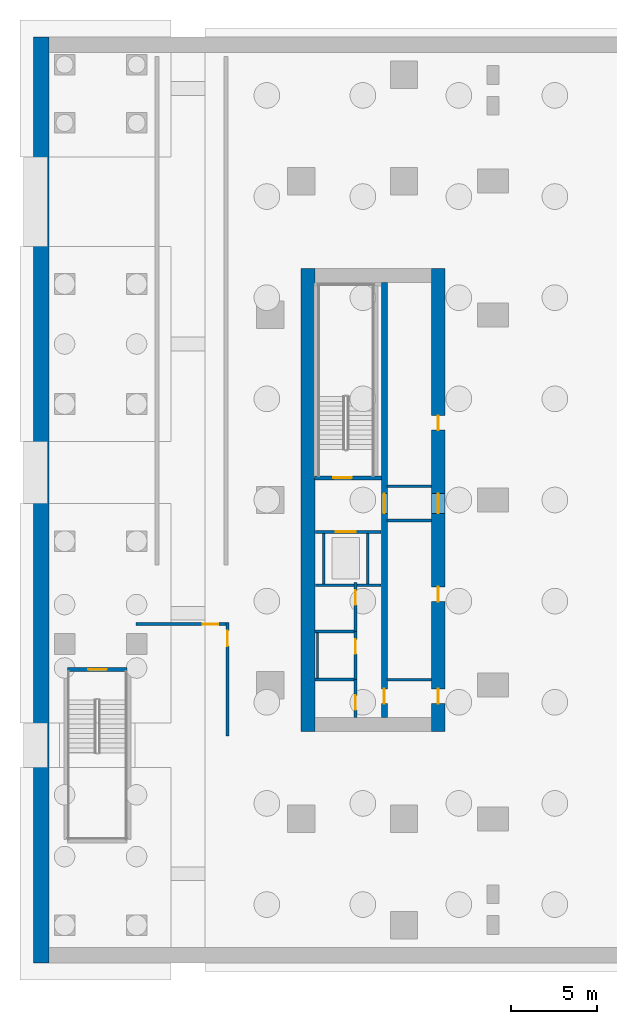
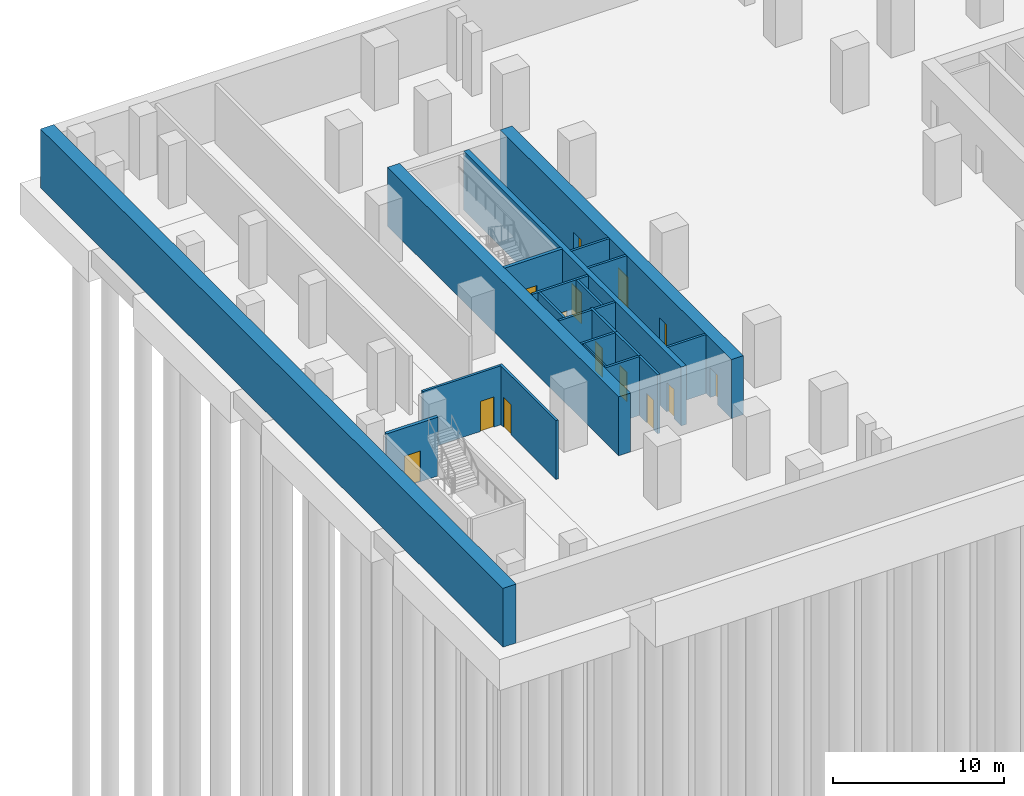
# One storey, part 3 of 15: 21 walls, 14 doors, 14 openings.
"""IFC4 building model written with IfcOpenShell, lengths in metres."""

import ifcopenshell
import ifcopenshell.guid

model = None  # the IFC model being written
_history = None  # IfcOwnerHistory: only IFC2X3 demands one
_inside = {}  # id of a spatial element -> (the spatial element, [elements in it])
_under = {}  # id of a project, library or spatial element -> (it, [spatial elements below it])
_declared = {}  # id of a project -> (the project, [libraries it declares])
_typed = {}  # id of a type object -> (the type object, [elements of that type])
_made_of = {}  # id of a material, layer set ... -> (it, [elements and type objects made of it])


def new_model(schema):
    """Start an empty IFC model of exactly this schema.

    Asked for "IFC4X3", IfcOpenShell would pick the latest addendum, in which some entities
    have other attributes; the version numbers below select the first issue.
    IFC2X3 requires an IfcOwnerHistory on every rooted entity: one is made here for all.
    """
    global model, _history
    if schema == "IFC4X3":
        model = ifcopenshell.file(schema_version=(4, 3, 0, 0))
    else:
        model = ifcopenshell.file(schema=schema)
    _inside.clear()
    _under.clear()
    _declared.clear()
    _typed.clear()
    _made_of.clear()
    _history = None
    if model.schema == "IFC2X3":
        org = make("IfcOrganization", Name="unknown")
        user = make(
            "IfcPersonAndOrganization",
            ThePerson=make("IfcPerson", FamilyName="unknown"),
            TheOrganization=org,
        )
        app = make(
            "IfcApplication",
            ApplicationDeveloper=org,
            Version="unknown",
            ApplicationFullName="unknown",
            ApplicationIdentifier="unknown",
        )
        _history = make(
            "IfcOwnerHistory",
            OwningUser=user,
            OwningApplication=app,
            ChangeAction="ADDED",
            CreationDate=0,
        )
    return model


def make(cls, **values):
    """One entity of the class cls with the attributes given. An attribute that is None is left unset."""
    return model.create_entity(
        cls, **{name: value for name, value in values.items() if value is not None}
    )


def rooted(cls, **values):
    """An entity with a GlobalId (a new one), such as an element, a storey or a relation."""
    return make(cls, GlobalId=ifcopenshell.guid.new(), OwnerHistory=_history, **values)


def si_unit(unit_type, name, prefix=None):
    """IfcSIUnit, for example si_unit("LENGTHUNIT", "METRE", prefix="MILLI")."""
    return make("IfcSIUnit", UnitType=unit_type, Prefix=prefix, Name=name)


def assignment(units):
    """IfcUnitAssignment: the units of a project."""
    return None if units is None else make("IfcUnitAssignment", Units=units)


def point(xyz):
    """IfcCartesianPoint."""
    return None if xyz is None else make("IfcCartesianPoint", Coordinates=xyz)


def direction(xyz):
    """IfcDirection."""
    return None if xyz is None else make("IfcDirection", DirectionRatios=xyz)


def frame(location, z_axis=None, x_axis=None):
    """IfcAxis2Placement3D, a coordinate frame: its origin and axes. An axis left out is left unset."""
    return make(
        "IfcAxis2Placement3D",
        Location=point(location),
        Axis=direction(z_axis),
        RefDirection=direction(x_axis),
    )


def frame_2d(location, x_axis=None):
    """IfcAxis2Placement2D, a coordinate frame in the plane: its origin and x axis."""
    return make(
        "IfcAxis2Placement2D", Location=point(location), RefDirection=direction(x_axis)
    )


def origin():
    """The frame at (0, 0, 0) with its axes left unset."""
    return frame((0.0, 0.0, 0.0))


def place(relative_to, where):
    """IfcLocalPlacement: puts the frame where relative to a parent placement (None: the world)."""
    return make(
        "IfcLocalPlacement", PlacementRelTo=relative_to, RelativePlacement=where
    )


def context(
    kind, dimensions, precision=None, world=None, true_north=None, identifier=None
):
    """IfcGeometricRepresentationContext, for example the 3D "Model" context."""
    return make(
        "IfcGeometricRepresentationContext",
        ContextIdentifier=identifier,
        ContextType=kind,
        CoordinateSpaceDimension=dimensions,
        Precision=precision,
        WorldCoordinateSystem=world,
        TrueNorth=true_north,
    )


def subcontext(parent, identifier, kind, view, scale=None):
    """IfcGeometricRepresentationSubContext, for example "Body" below "Model"."""
    return make(
        "IfcGeometricRepresentationSubContext",
        ContextIdentifier=identifier,
        ContextType=kind,
        ParentContext=parent,
        TargetScale=scale,
        TargetView=view,
    )


def project(units=None, contexts=None):
    """IfcProject with its units and contexts."""
    return rooted(
        "IfcProject",
        Name="project",
        RepresentationContexts=contexts,
        UnitsInContext=assignment(units),
    )


def spatial(cls, under=None, at=None, **own):
    """A site, building, storey or space (cls), placed at a placement, below another one or the project."""
    s = rooted(cls, ObjectPlacement=at, **own)
    if under is not None:
        _under.setdefault(under.id(), (under, []))[1].append(s)
    return s


def profile(cls, at=None, kind="AREA", **sizes):
    """A parametric profile (cls). Its sizes go by their IFC names, for example OverallWidth=200.0."""
    return make(cls, ProfileType=kind, Position=at, **sizes)


def rectangle(**sizes):
    """IfcRectangleProfileDef."""
    return profile("IfcRectangleProfileDef", **sizes)


def extrude(swept, where, along, depth):
    """IfcExtrudedAreaSolid: the profile swept, set in the frame where, extruded along a direction by depth."""
    return make(
        "IfcExtrudedAreaSolid",
        SweptArea=swept,
        Position=where,
        ExtrudedDirection=direction(along),
        Depth=depth,
    )


def shape(context_of_items, identifier, shape_type, items):
    """IfcShapeRepresentation: the items that make up one representation, for example the "Body"."""
    return make(
        "IfcShapeRepresentation",
        ContextOfItems=context_of_items,
        RepresentationIdentifier=identifier,
        RepresentationType=shape_type,
        Items=items,
    )


def material(Name=None, Category=None):
    """IfcMaterial."""
    return make("IfcMaterial", Name=Name, Category=Category)


def layer(
    of_material, thickness, ventilated=None, Name=None, Category=None, Priority=None
):
    """IfcMaterialLayer: one layer of a wall or slab, of a material (None: an air gap)."""
    return make(
        "IfcMaterialLayer",
        Material=of_material,
        LayerThickness=thickness,
        IsVentilated=ventilated,
        Name=Name,
        Category=Category,
        Priority=Priority,
    )


def layer_set(layers, Name=None):
    """IfcMaterialLayerSet."""
    return make("IfcMaterialLayerSet", MaterialLayers=layers, LayerSetName=Name)


def made_of(thing, what):
    """Note that an element or type object is made of a material, layer set ...; save() writes the relation."""
    if what is not None:
        _made_of.setdefault(what.id(), (what, []))[1].append(thing)
    return thing


def type_object(cls, material=None, **own):
    """A type object (cls), such as IfcWallType, which elements share."""
    return made_of(rooted(cls, **own), material)


def element(
    cls,
    number,
    at=None,
    inside=None,
    cuts=None,
    type_object=None,
    material=None,
    context=None,
    identifier="Body",
    shape_type=None,
    held_by="IfcProductDefinitionShape",
    body=None,
    shapes=None,
    **own,
):
    """One element of the class cls, such as IfcWall. Its Tag is "e" and its number.

    at: its placement. inside: the storey or other place that contains it. cuts: it is an
    opening in that element (IfcRelVoidsElement). A single representation is given by context,
    identifier, shape_type and body (its items); several are given by shapes. held_by: the class
    of the entity that holds the representations. save() writes the other relations.
    """
    e = rooted(cls, Tag="e%d" % number, ObjectPlacement=at, **own)
    if body is not None:
        shapes = [shape(context, identifier, shape_type, body)]
    if shapes is not None:
        e.Representation = make(held_by, Representations=shapes)
    if inside is not None:
        _inside.setdefault(inside.id(), (inside, []))[1].append(e)
    if cuts is not None:
        rooted(
            "IfcRelVoidsElement", RelatingBuildingElement=cuts, RelatedOpeningElement=e
        )
    if type_object is not None:
        _typed.setdefault(type_object.id(), (type_object, []))[1].append(e)
    return made_of(e, material)


def fill(opening, filler):
    """IfcRelFillsElement: the door or window that sits in an opening."""
    return rooted(
        "IfcRelFillsElement",
        RelatingOpeningElement=opening,
        RelatedBuildingElement=filler,
    )


def aggregate(whole, parts):
    """IfcRelAggregates: a whole, such as a stair, and the parts it consists of."""
    return rooted("IfcRelAggregates", RelatingObject=whole, RelatedObjects=parts)


def save(model, path):
    """Write the relations noted so far, then the file.

    IfcRelAggregates (storeys below a building ...), IfcRelContainedInSpatialStructure (elements
    in a storey), IfcRelDefinesByType, IfcRelAssociatesMaterial and IfcRelDeclares: one each for
    every whole, place, type object, material and project.
    """
    for whole, parts in _under.values():
        aggregate(whole, parts)
    for where, things in _inside.values():
        rooted(
            "IfcRelContainedInSpatialStructure",
            RelatedElements=things,
            RelatingStructure=where,
        )
    for kind, things in _typed.values():
        rooted("IfcRelDefinesByType", RelatedObjects=things, RelatingType=kind)
    for what, things in _made_of.values():
        rooted("IfcRelAssociatesMaterial", RelatedObjects=things, RelatingMaterial=what)
    for by, libraries in _declared.values():
        rooted("IfcRelDeclares", RelatingContext=by, RelatedDefinitions=libraries)
    model.write(path)


model = new_model("IFC4")

# Units and contexts
model_context = context("Model", 3, precision=1e-05, world=origin(), true_north=direction((0.0, 1.0)))
body_context = subcontext(model_context, "Body", "Model", "MODEL_VIEW")
ifc_project = project(units=[si_unit("LENGTHUNIT", "METRE"), si_unit("AREAUNIT", "SQUARE_METRE"), si_unit("VOLUMEUNIT", "CUBIC_METRE"), si_unit("PLANEANGLEUNIT", "RADIAN"), si_unit("MASSUNIT", "GRAM", prefix="KILO")], contexts=[model_context])

# Site, building, storey
site_placement = place(None, origin())
site = spatial("IfcSite", under=ifc_project, at=site_placement, CompositionType="ELEMENT")
building_placement = place(site_placement, origin())
building = spatial("IfcBuilding", under=site, at=building_placement, Name="Khairoan Windgate Tower", CompositionType="ELEMENT")
storey_placement = place(building_placement, frame((0.0, 0.0, -9.0)))
storey = spatial("IfcBuildingStorey", under=building, at=storey_placement, Name="B2", CompositionType="ELEMENT", Elevation=-9.0)

# Wall
ifc_material_1 = material(Name="Moisture-Resistant Gypsum Partition", Category="gypsum")
ifc_layer_1 = layer(ifc_material_1, 0.10009765625, Name="Moisture-Resistant Gypsum Partition")
ifc_layer_set_1 = layer_set([ifc_layer_1], Name="Moisture-Resistant Gypsum Partition")
wall_type_1 = type_object("IfcWallType", Name="Bathroom Wet-Area Partition Wall", PredefinedType="PARTITIONING", material=ifc_layer_set_1)
wall_1_placement = place(storey_placement, frame((-19.449951171875, -10.389892578125, 0.0), z_axis=(0.0, 0.0, 1.0), x_axis=(0.0, 1.0, 0.0)))
element("IfcWall", 1, at=wall_1_placement, inside=storey, type_object=wall_type_1, Name="B2 Wet Room Side Wall 019", PredefinedType="PARTITIONING", context=body_context, shape_type="SweptSolid", body=[
    extrude(rectangle(XDim=2.639892578125, YDim=0.10009765625, at=frame_2d((1.31982421875, 0.0))), origin(), (0.0, 0.0, 1.0), 4.199951171875),
])

# Wall, opening, door
ifc_material_2 = material(Name="Concrete C40/50", Category="concrete")
ifc_layer_2 = layer(ifc_material_2, 0.159912109375, Name="Concrete C40/50")
ifc_layer_set_2 = layer_set([ifc_layer_2], Name="Concrete C40/50")
wall_type_2 = type_object("IfcWallType", Name="Core and Hoistway Enclosure Wall", PredefinedType="STANDARD", material=ifc_layer_set_2)
wall_2_placement = place(storey_placement, frame((-19.550048828125, -1.860107421875, 0.0), z_axis=(0.0, 0.0, 1.0), x_axis=(1.0, 0.0, 0.0)))
wall_2 = element("IfcWall", 2, at=wall_2_placement, inside=storey, type_object=wall_type_2, Name="B2 Core Shaft Wall SW-FL2-B2", PredefinedType="STANDARD", context=body_context, shape_type="SweptSolid", body=[
    extrude(rectangle(XDim=3.800048828125, YDim=0.159912109375, at=frame_2d((1.89990234375, 0.0))), origin(), (0.0, 0.0, 1.0), 4.199951171875),
])
opening_1_placement = place(wall_2_placement, frame((1.179931640625, 0.0, 0.0)))
opening_1 = element("IfcOpeningElement", 3, at=opening_1_placement, cuts=wall_2, Name="Opening LD-FL", PredefinedType="OPENING", context=body_context, shape_type="SweptSolid", body=[
    extrude(rectangle(XDim=1.14990234375, YDim=2.199951171875, at=frame_2d((0.574951171875, 1.10009765625))), frame((0.0, 0.08984375, 0.0), z_axis=(0.0, -1.0, 0.0), x_axis=(1.0, 0.0, 0.0)), (0.0, 0.0, 1.0), 0.179931640625),
])
ifc_material_3 = material(Name="Steel S355", Category="steel")
door_type_1 = type_object("IfcDoorType", Name="Firefighting Lift Sliding Landing Door LD-FL 1150x2200", OperationType="DOUBLE_DOOR_SLIDING", PredefinedType="DOOR", material=ifc_material_3)
door_1_placement = place(opening_1_placement, origin())
door_1 = element("IfcDoor", 4, at=door_1_placement, inside=storey, type_object=door_type_1, Name="B2 Firefighting Lift FL2 Landing Door", OperationType="DOUBLE_DOOR_SLIDING", OverallHeight=2.199951171875, OverallWidth=1.14990234375, PredefinedType="DOOR", context=body_context, shape_type="SweptSolid", body=[
    extrude(rectangle(XDim=1.14990234375, YDim=2.199951171875, at=frame_2d((0.574951171875, 1.10009765625))), frame((0.0, 0.02490234375, 0.0), z_axis=(0.0, -1.0, 0.0), x_axis=(1.0, 0.0, 0.0)), (0.0, 0.0, 1.0), 0.050048828125),
])
fill(opening_1, door_1)

# Walls
wall_3_placement = place(storey_placement, frame((-19.550048828125, -4.97998046875, 0.0), z_axis=(0.0, 0.0, 1.0), x_axis=(1.0, 0.0, 0.0)))
element("IfcWall", 5, at=wall_3_placement, inside=storey, type_object=wall_type_2, Name="B2 Core Shaft Wall SW-FL2B-B2", PredefinedType="STANDARD", context=body_context, shape_type="SweptSolid", body=[
    extrude(rectangle(XDim=3.800048828125, YDim=0.159912109375, at=frame_2d((1.89990234375, 0.0))), origin(), (0.0, 0.0, 1.0), 4.199951171875),
])
for number, where, z_axis, x_axis, name in (
    (6, (-19.080078125, -4.89990234375, 0.0), (0.0, 0.0, 1.0), (0.0, 1.0, 0.0), "B2 Core Shaft Wall SW-FL2W-B2"),
    (7, (-16.52001953125, -4.89990234375, 0.0), (0.0, 0.0, 1.0), (0.0, 1.0, 0.0), "B2 Core Shaft Wall SW-FL2E-B2"),
):
    element("IfcWall", number, at=place(storey_placement, frame(where, z_axis=z_axis, x_axis=x_axis)), inside=storey, type_object=wall_type_2, Name=name, PredefinedType="STANDARD", context=body_context, shape_type="SweptSolid", body=[
        extrude(rectangle(XDim=2.9599609375, YDim=0.159912109375, at=frame_2d((1.47998046875, 0.0))), origin(), (0.0, 0.0, 1.0), 4.199951171875),
    ])
for number, where, z_axis, x_axis, name in (
    (8, (-15.39990234375, 0.800048828125, 0.0), (0.0, 0.0, 1.0), (1.0, 0.0, 0.0), "B2 Core Shaft Wall SW-WV1-B2"),
    (9, (-15.39990234375, -1.199951171875, 0.0), (0.0, 0.0, 1.0), (1.0, 0.0, 0.0), "B2 Core Shaft Wall SW-WV2-B2"),
    (10, (-15.39990234375, -10.47998046875, 0.0), (0.0, 0.0, 1.0), (1.0, 0.0, 0.0), "B2 Core Shaft Wall SW-WSV-B2"),
):
    element("IfcWall", number, at=place(storey_placement, frame(where, z_axis=z_axis, x_axis=x_axis)), inside=storey, type_object=wall_type_2, Name=name, PredefinedType="STANDARD", context=body_context, shape_type="SweptSolid", body=[
        extrude(rectangle(XDim=2.599853515625, YDim=0.159912109375, at=frame_2d((1.2998046875, 0.0))), origin(), (0.0, 0.0, 1.0), 4.199951171875),
    ])

# Wall, opening, door
ifc_material_4 = material(Name="Concrete C40/50", Category="concrete")
ifc_layer_3 = layer(ifc_material_4, 0.159912109375, Name="Concrete C40/50")
ifc_layer_set_3 = layer_set([ifc_layer_3], Name="Concrete C40/50")
wall_type_3 = type_object("IfcWallType", Name="Plant and Refuge Compartment Wall", PredefinedType="PARTITIONING", material=ifc_layer_set_3)
wall_4_placement = place(storey_placement, frame((-17.22998046875, -12.699951171875, 0.0), z_axis=(0.0, 0.0, 1.0), x_axis=(0.0, 1.0, 0.0)))
wall_4 = element("IfcWall", 11, at=wall_4_placement, inside=storey, type_object=wall_type_3, Name="B2 Interior Partition 001", PredefinedType="PARTITIONING", context=body_context, shape_type="SweptSolid", body=[
    extrude(rectangle(XDim=2.22998046875, YDim=0.159912109375, at=frame_2d((1.114990234375, 0.0))), origin(), (0.0, 0.0, 1.0), 4.199951171875),
])
opening_2_placement = place(wall_4_placement, frame((0.4599609375, 0.0, 0.0)))
opening_2 = element("IfcOpeningElement", 12, at=opening_2_placement, cuts=wall_4, Name="Opening FD-SRV", PredefinedType="OPENING", context=body_context, shape_type="SweptSolid", body=[
    extrude(rectangle(XDim=0.85009765625, YDim=2.10009765625, at=frame_2d((0.425048828125, 1.050048828125))), frame((0.0, 0.08984375, 0.0), z_axis=(0.0, -1.0, 0.0), x_axis=(1.0, 0.0, 0.0)), (0.0, 0.0, 1.0), 0.179931640625),
])
ifc_material_5 = material(Name="Steel S355", Category="steel")
door_type_2 = type_object("IfcDoorType", Name="Core Service and Riser Fire Door FD-SRV 850x2100", OperationType="NOTDEFINED", PredefinedType="DOOR", material=ifc_material_5)
door_2_placement = place(opening_2_placement, origin())
door_2 = element("IfcDoor", 13, at=door_2_placement, inside=storey, type_object=door_type_2, Name="B2 B2-04-B2-05 Door", OperationType="SINGLE_SWING_LEFT", OverallHeight=2.10009765625, OverallWidth=0.85009765625, PredefinedType="DOOR", context=body_context, shape_type="SweptSolid", body=[
    extrude(rectangle(XDim=0.85009765625, YDim=2.10009765625, at=frame_2d((0.425048828125, 1.050048828125))), frame((0.0, 0.02490234375, 0.0), z_axis=(0.0, -1.0, 0.0), x_axis=(1.0, 0.0, 0.0)), (0.0, 0.0, 1.0), 0.050048828125),
])
fill(opening_2, door_2)

wall_5_placement = place(storey_placement, frame((-17.22998046875, -10.469970703125, 0.0), z_axis=(0.0, 0.0, 1.0), x_axis=(0.0, 1.0, 0.0)))
wall_5 = element("IfcWall", 14, at=wall_5_placement, inside=storey, type_object=wall_type_3, Name="B2 Interior Partition 002", PredefinedType="PARTITIONING", context=body_context, shape_type="SweptSolid", body=[
    extrude(rectangle(XDim=2.800048828125, YDim=0.159912109375, at=frame_2d((1.39990234375, 0.0))), origin(), (0.0, 0.0, 1.0), 4.199951171875),
])
opening_3_placement = place(wall_5_placement, frame((1.489990234375, 0.0, 0.0)))
opening_3 = element("IfcOpeningElement", 15, at=opening_3_placement, cuts=wall_5, Name="Opening FD-SRV", PredefinedType="OPENING", context=body_context, shape_type="SweptSolid", body=[
    extrude(rectangle(XDim=0.85009765625, YDim=2.10009765625, at=frame_2d((0.425048828125, 1.050048828125))), frame((0.0, 0.08984375, 0.0), z_axis=(0.0, -1.0, 0.0), x_axis=(1.0, 0.0, 0.0)), (0.0, 0.0, 1.0), 0.179931640625),
])
door_3_placement = place(opening_3_placement, origin())
door_3 = element("IfcDoor", 16, at=door_3_placement, inside=storey, type_object=door_type_2, Name="B2 B2-04-B2-06 Door", OperationType="SINGLE_SWING_RIGHT", OverallHeight=2.10009765625, OverallWidth=0.85009765625, PredefinedType="DOOR", context=body_context, shape_type="SweptSolid", body=[
    extrude(rectangle(XDim=0.85009765625, YDim=2.10009765625, at=frame_2d((0.425048828125, 1.050048828125))), frame((0.0, 0.02490234375, 0.0), z_axis=(0.0, -1.0, 0.0), x_axis=(1.0, 0.0, 0.0)), (0.0, 0.0, 1.0), 0.050048828125),
])
fill(opening_3, door_3)

wall_6_placement = place(storey_placement, frame((-17.22998046875, -7.669921875, 0.0), z_axis=(0.0, 0.0, 1.0), x_axis=(0.0, 1.0, 0.0)))
wall_6 = element("IfcWall", 17, at=wall_6_placement, inside=storey, type_object=wall_type_3, Name="B2 Interior Partition 003", PredefinedType="PARTITIONING", context=body_context, shape_type="SweptSolid", body=[
    extrude(rectangle(XDim=2.85986328125, YDim=0.159912109375, at=frame_2d((1.429931640625, 0.0))), origin(), (0.0, 0.0, 1.0), 4.199951171875),
])
opening_4_placement = place(wall_6_placement, frame((1.550048828125, 0.0, 0.0)))
opening_4 = element("IfcOpeningElement", 18, at=opening_4_placement, cuts=wall_6, Name="Opening FD-SRV", PredefinedType="OPENING", context=body_context, shape_type="SweptSolid", body=[
    extrude(rectangle(XDim=0.85009765625, YDim=2.10009765625, at=frame_2d((0.425048828125, 1.050048828125))), frame((0.0, 0.08984375, 0.0), z_axis=(0.0, -1.0, 0.0), x_axis=(1.0, 0.0, 0.0)), (0.0, 0.0, 1.0), 0.179931640625),
])
door_4_placement = place(opening_4_placement, origin())
door_4 = element("IfcDoor", 19, at=door_4_placement, inside=storey, type_object=door_type_2, Name="B2 B2-04-B2-07 Door", OperationType="SINGLE_SWING_LEFT", OverallHeight=2.10009765625, OverallWidth=0.85009765625, PredefinedType="DOOR", context=body_context, shape_type="SweptSolid", body=[
    extrude(rectangle(XDim=0.85009765625, YDim=2.10009765625, at=frame_2d((0.425048828125, 1.050048828125))), frame((0.0, 0.02490234375, 0.0), z_axis=(0.0, -1.0, 0.0), x_axis=(1.0, 0.0, 0.0)), (0.0, 0.0, 1.0), 0.050048828125),
])
fill(opening_4, door_4)

# Walls
for number, where, z_axis, x_axis, name in (
    (20, (-19.60009765625, -10.469970703125, 0.0), (0.0, 0.0, 1.0), (1.0, 0.0, 0.0), "B2 Interior Partition 004"),
    (21, (-19.60009765625, -7.669921875, 0.0), (0.0, 0.0, 1.0), (1.0, 0.0, 0.0), "B2 Interior Partition 005"),
):
    element("IfcWall", number, at=place(storey_placement, frame(where, z_axis=z_axis, x_axis=x_axis)), inside=storey, type_object=wall_type_3, Name=name, PredefinedType="PARTITIONING", context=body_context, shape_type="SweptSolid", body=[
        extrude(rectangle(XDim=2.2900390625, YDim=0.159912109375, at=frame_2d((1.14501953125, 0.0))), origin(), (0.0, 0.0, 1.0), 4.199951171875),
    ])

# Wall, opening, door
wall_7_placement = place(storey_placement, frame((-24.699951171875, -13.760009765625, 0.0), z_axis=(0.0, 0.0, 1.0), x_axis=(0.0, 1.0, 0.0)))
wall_7 = element("IfcWall", 22, at=wall_7_placement, inside=storey, type_object=wall_type_3, Name="B2 Interior Partition 012", PredefinedType="PARTITIONING", context=body_context, shape_type="SweptSolid", body=[
    extrude(rectangle(XDim=6.60009765625, YDim=0.159912109375, at=frame_2d((3.300048828125, 0.0))), origin(), (0.0, 0.0, 1.0), 4.199951171875),
])
opening_5_placement = place(wall_7_placement, frame((5.239990234375, 0.0, 0.0)))
opening_5 = element("IfcOpeningElement", 23, at=opening_5_placement, cuts=wall_7, Name="Opening FD-ENT", PredefinedType="OPENING", context=body_context, shape_type="SweptSolid", body=[
    extrude(rectangle(XDim=0.89990234375, YDim=2.14990234375, at=frame_2d((0.449951171875, 1.074951171875))), frame((0.0, 0.08984375, 0.0), z_axis=(0.0, -1.0, 0.0), x_axis=(1.0, 0.0, 0.0)), (0.0, 0.0, 1.0), 0.179931640625),
])
ifc_material_6 = material(Name="Timber Fire-Rated Core", Category="wood")
door_type_3 = type_object("IfcDoorType", Name="Unit and Office Fire Entrance Door FD-ENT 900x2150", OperationType="NOTDEFINED", PredefinedType="DOOR", material=ifc_material_6)
door_5_placement = place(opening_5_placement, origin())
door_5 = element("IfcDoor", 24, at=door_5_placement, inside=storey, type_object=door_type_3, Name="B2 B2-34-B2-47 Door", OperationType="SINGLE_SWING_LEFT", OverallHeight=2.14990234375, OverallWidth=0.89990234375, PredefinedType="DOOR", context=body_context, shape_type="SweptSolid", body=[
    extrude(rectangle(XDim=0.89990234375, YDim=2.14990234375, at=frame_2d((0.449951171875, 1.074951171875))), frame((0.0, 0.02490234375, 0.0), z_axis=(0.0, -1.0, 0.0), x_axis=(1.0, 0.0, 0.0)), (0.0, 0.0, 1.0), 0.050048828125),
])
fill(opening_5, door_5)

wall_8_placement = place(storey_placement, frame((-30.0400390625, -7.239990234375, 0.0), z_axis=(0.0, 0.0, 1.0), x_axis=(1.0, 0.0, 0.0)))
wall_8 = element("IfcWall", 25, at=wall_8_placement, inside=storey, type_object=wall_type_3, Name="B2 Interior Partition 014", PredefinedType="PARTITIONING", context=body_context, shape_type="SweptSolid", body=[
    extrude(rectangle(XDim=5.260009765625, YDim=0.159912109375, at=frame_2d((2.6298828125, 0.0))), origin(), (0.0, 0.0, 1.0), 4.199951171875),
])
opening_6_placement = place(wall_8_placement, frame((3.89990234375, 0.0, 0.0)))
opening_6 = element("IfcOpeningElement", 26, at=opening_6_placement, cuts=wall_8, Name="Opening FD-ENT", PredefinedType="OPENING", context=body_context, shape_type="SweptSolid", body=[
    extrude(rectangle(XDim=0.89990234375, YDim=2.14990234375, at=frame_2d((0.449951171875, 1.074951171875))), frame((0.0, 0.08984375, 0.0), z_axis=(0.0, -1.0, 0.0), x_axis=(1.0, 0.0, 0.0)), (0.0, 0.0, 1.0), 0.179931640625),
])
door_6_placement = place(opening_6_placement, origin())
door_6 = element("IfcDoor", 27, at=door_6_placement, inside=storey, type_object=door_type_3, Name="B2 B2-43-B2-47 Door", OperationType="SINGLE_SWING_LEFT", OverallHeight=2.14990234375, OverallWidth=0.89990234375, PredefinedType="DOOR", context=body_context, shape_type="SweptSolid", body=[
    extrude(rectangle(XDim=0.89990234375, YDim=2.14990234375, at=frame_2d((0.449951171875, 1.074951171875))), frame((0.0, 0.02490234375, 0.0), z_axis=(0.0, -1.0, 0.0), x_axis=(1.0, 0.0, 0.0)), (0.0, 0.0, 1.0), 0.050048828125),
])
fill(opening_6, door_6)

# Wall
ifc_material_7 = material(Name="Concrete C70/85", Category="concrete")
ifc_layer_4 = layer(ifc_material_7, 0.800048828125, Name="Concrete C70/85")
ifc_layer_set_4 = layer_set([ifc_layer_4], Name="Concrete C70/85")
wall_type_4 = type_object("IfcWallType", Name="Shear Wall CW-W1 800mm", PredefinedType="SHEAR", material=ifc_layer_set_4)
wall_9_placement = place(storey_placement, frame((-20.0, -13.5, 0.0), z_axis=(0.0, 0.0, 1.0), x_axis=(0.0, 1.0, 0.0)))
element("IfcWall", 28, at=wall_9_placement, inside=storey, type_object=wall_type_4, Name="W Core West Shear Wall B2", PredefinedType="SHEAR", context=body_context, shape_type="SweptSolid", body=[
    extrude(rectangle(XDim=27.0, YDim=0.800048828125, at=frame_2d((13.5, 0.0))), origin(), (0.0, 0.0, 1.0), 4.199951171875),
])

# Wall, openings, doors
wall_10_placement = place(storey_placement, frame((-12.39990234375, -13.5, 0.0), z_axis=(0.0, 0.0, 1.0), x_axis=(0.0, 1.0, 0.0)))
wall_10 = element("IfcWall", 29, at=wall_10_placement, inside=storey, type_object=wall_type_4, Name="W Core East Shear Wall B2", PredefinedType="SHEAR", context=body_context, shape_type="SweptSolid", body=[
    extrude(rectangle(XDim=27.0, YDim=0.800048828125, at=frame_2d((13.5, 0.0))), origin(), (0.0, 0.0, 1.0), 4.199951171875),
])
opening_7_placement = place(wall_10_placement, frame((17.574951171875, 0.0, 0.0)))
opening_7 = element("IfcOpeningElement", 30, at=opening_7_placement, cuts=wall_10, Name="Opening FD-SRV", PredefinedType="OPENING", context=body_context, shape_type="SweptSolid", body=[
    extrude(rectangle(XDim=0.85009765625, YDim=2.10009765625, at=frame_2d((0.425048828125, 1.050048828125))), frame((0.0, 0.409912109375, 0.0), z_axis=(0.0, -1.0, 0.0), x_axis=(1.0, 0.0, 0.0)), (0.0, 0.0, 1.0), 0.820068359375),
])
opening_8_placement = place(wall_10_placement, frame((7.574951171875, 0.0, 0.0)))
opening_8 = element("IfcOpeningElement", 31, at=opening_8_placement, cuts=wall_10, Name="Opening FD-SRV", PredefinedType="OPENING", context=body_context, shape_type="SweptSolid", body=[
    extrude(rectangle(XDim=0.85009765625, YDim=2.10009765625, at=frame_2d((0.425048828125, 1.050048828125))), frame((0.0, 0.409912109375, 0.0), z_axis=(0.0, -1.0, 0.0), x_axis=(1.0, 0.0, 0.0)), (0.0, 0.0, 1.0), 0.820068359375),
])
opening_9_placement = place(wall_10_placement, frame((12.72509765625, 0.0, 0.0)))
opening_9 = element("IfcOpeningElement", 32, at=opening_9_placement, cuts=wall_10, Name="Opening FD-FFL", PredefinedType="OPENING", context=body_context, shape_type="SweptSolid", body=[
    extrude(rectangle(XDim=1.14990234375, YDim=2.199951171875, at=frame_2d((0.574951171875, 1.10009765625))), frame((0.0, 0.409912109375, 0.0), z_axis=(0.0, -1.0, 0.0), x_axis=(1.0, 0.0, 0.0)), (0.0, 0.0, 1.0), 0.820068359375),
])
opening_10_placement = place(wall_10_placement, frame((1.625, 0.0, 0.0)))
opening_10 = element("IfcOpeningElement", 33, at=opening_10_placement, cuts=wall_10, Name="Opening FD-SRV", PredefinedType="OPENING", context=body_context, shape_type="SweptSolid", body=[
    extrude(rectangle(XDim=0.85009765625, YDim=2.10009765625, at=frame_2d((0.425048828125, 1.050048828125))), frame((0.0, 0.409912109375, 0.0), z_axis=(0.0, -1.0, 0.0), x_axis=(1.0, 0.0, 0.0)), (0.0, 0.0, 1.0), 0.820068359375),
])
door_7_placement = place(opening_7_placement, origin())
door_7 = element("IfcDoor", 34, at=door_7_placement, inside=storey, type_object=door_type_2, Name="B2 West Basement Smoke Plant Door", OperationType="SINGLE_SWING_LEFT", OverallHeight=2.10009765625, OverallWidth=0.85009765625, PredefinedType="DOOR", context=body_context, shape_type="SweptSolid", body=[
    extrude(rectangle(XDim=0.85009765625, YDim=2.10009765625, at=frame_2d((0.425048828125, 1.050048828125))), frame((0.0, 0.02490234375, 0.0), z_axis=(0.0, -1.0, 0.0), x_axis=(1.0, 0.0, 0.0)), (0.0, 0.0, 1.0), 0.050048828125),
])
fill(opening_7, door_7)
door_8_placement = place(opening_8_placement, origin())
door_8 = element("IfcDoor", 35, at=door_8_placement, inside=storey, type_object=door_type_2, Name="B2 West Basement Sump Plant Door", OperationType="SINGLE_SWING_RIGHT", OverallHeight=2.10009765625, OverallWidth=0.85009765625, PredefinedType="DOOR", context=body_context, shape_type="SweptSolid", body=[
    extrude(rectangle(XDim=0.85009765625, YDim=2.10009765625, at=frame_2d((0.425048828125, 1.050048828125))), frame((0.0, 0.02490234375, 0.0), z_axis=(0.0, -1.0, 0.0), x_axis=(1.0, 0.0, 0.0)), (0.0, 0.0, 1.0), 0.050048828125),
])
fill(opening_8, door_8)
door_9_placement = place(opening_10_placement, origin())
door_9 = element("IfcDoor", 36, at=door_9_placement, inside=storey, type_object=door_type_2, Name="B2 West Core Service Vestibule Outer Door", OperationType="SINGLE_SWING_LEFT", OverallHeight=2.10009765625, OverallWidth=0.85009765625, PredefinedType="DOOR", context=body_context, shape_type="SweptSolid", body=[
    extrude(rectangle(XDim=0.85009765625, YDim=2.10009765625, at=frame_2d((0.425048828125, 1.050048828125))), frame((0.0, 0.02490234375, 0.0), z_axis=(0.0, -1.0, 0.0), x_axis=(1.0, 0.0, 0.0)), (0.0, 0.0, 1.0), 0.050048828125),
])
fill(opening_10, door_9)
ifc_material_8 = material(Name="Steel S355", Category="steel")
door_type_4 = type_object("IfcDoorType", Name="Firefighting Lobby Fire Door FD-FFL 1150x2200", OperationType="NOTDEFINED", PredefinedType="DOOR", material=ifc_material_8)
door_10_placement = place(opening_9_placement, origin())
door_10 = element("IfcDoor", 37, at=door_10_placement, inside=storey, type_object=door_type_4, Name="B2 West Core Vestibule Entry Door", OperationType="SINGLE_SWING_LEFT", OverallHeight=2.199951171875, OverallWidth=1.14990234375, PredefinedType="DOOR", context=body_context, shape_type="SweptSolid", body=[
    extrude(rectangle(XDim=1.14990234375, YDim=2.199951171875, at=frame_2d((0.574951171875, 1.10009765625))), frame((0.0, 0.02490234375, 0.0), z_axis=(0.0, -1.0, 0.0), x_axis=(1.0, 0.0, 0.0)), (0.0, 0.0, 1.0), 0.050048828125),
])
fill(opening_9, door_10)

# Wall
ifc_material_9 = material(Name="Concrete C50/60", Category="concrete")
ifc_layer_5 = layer(ifc_material_9, 0.89990234375, Name="Concrete C50/60")
ifc_layer_set_5 = layer_set([ifc_layer_5], Name="Concrete C50/60")
wall_type_5 = type_object("IfcWallType", Name="Shear Wall DW-B1 900mm", PredefinedType="SHEAR", material=ifc_layer_set_5)
wall_11_placement = place(storey_placement, frame((-35.550048828125, -27.0, 0.0), z_axis=(0.0, 0.0, 1.0), x_axis=(0.0, 1.0, 0.0)))
element("IfcWall", 38, at=wall_11_placement, inside=storey, type_object=wall_type_5, Name="West Diaphragm Wall B2", PredefinedType="SHEAR", context=body_context, shape_type="SweptSolid", body=[
    extrude(rectangle(XDim=54.0, YDim=0.89990234375, at=frame_2d((27.0, 0.0))), origin(), (0.0, 0.0, 1.0), 4.199951171875),
])

# Wall, openings, doors
ifc_material_10 = material(Name="Concrete C60/75", Category="concrete")
ifc_layer_6 = layer(ifc_material_10, 0.35009765625, Name="Concrete C60/75")
ifc_layer_set_6 = layer_set([ifc_layer_6], Name="Concrete C60/75")
wall_type_6 = type_object("IfcWallType", Name="Shear Wall SW-1 350mm", PredefinedType="SHEAR", material=ifc_layer_set_6)
wall_12_placement = place(storey_placement, frame((-15.550048828125, -12.699951171875, 0.0), z_axis=(0.0, 0.0, 1.0), x_axis=(0.0, 1.0, 0.0)))
wall_12 = element("IfcWall", 39, at=wall_12_placement, inside=storey, type_object=wall_type_6, Name="W Core Spine Shear Wall B2", PredefinedType="SHEAR", context=body_context, shape_type="SweptSolid", body=[
    extrude(rectangle(XDim=25.39990234375, YDim=0.35009765625, at=frame_2d((12.699951171875, 0.0))), origin(), (0.0, 0.0, 1.0), 4.199951171875),
])
opening_11_placement = place(wall_12_placement, frame((11.925048828125, 0.0, 0.0)))
opening_11 = element("IfcOpeningElement", 40, at=opening_11_placement, cuts=wall_12, Name="Opening FD-FFL", PredefinedType="OPENING", context=body_context, shape_type="SweptSolid", body=[
    extrude(rectangle(XDim=1.14990234375, YDim=2.199951171875, at=frame_2d((0.574951171875, 1.10009765625))), frame((0.0, 0.18505859375, 0.0), z_axis=(0.0, -1.0, 0.0), x_axis=(1.0, 0.0, 0.0)), (0.0, 0.0, 1.0), 0.3701171875),
])
opening_12_placement = place(wall_12_placement, frame((0.824951171875, 0.0, 0.0)))
opening_12 = element("IfcOpeningElement", 41, at=opening_12_placement, cuts=wall_12, Name="Opening FD-SRV", PredefinedType="OPENING", context=body_context, shape_type="SweptSolid", body=[
    extrude(rectangle(XDim=0.85009765625, YDim=2.10009765625, at=frame_2d((0.425048828125, 1.050048828125))), frame((0.0, 0.18505859375, 0.0), z_axis=(0.0, -1.0, 0.0), x_axis=(1.0, 0.0, 0.0)), (0.0, 0.0, 1.0), 0.3701171875),
])
door_11_placement = place(opening_12_placement, origin())
door_11 = element("IfcDoor", 42, at=door_11_placement, inside=storey, type_object=door_type_2, Name="B2 West Core Service Passage Inner Door", OperationType="SINGLE_SWING_RIGHT", OverallHeight=2.10009765625, OverallWidth=0.85009765625, PredefinedType="DOOR", context=body_context, shape_type="SweptSolid", body=[
    extrude(rectangle(XDim=0.85009765625, YDim=2.10009765625, at=frame_2d((0.425048828125, 1.050048828125))), frame((0.0, 0.02490234375, 0.0), z_axis=(0.0, -1.0, 0.0), x_axis=(1.0, 0.0, 0.0)), (0.0, 0.0, 1.0), 0.050048828125),
])
fill(opening_12, door_11)
door_12_placement = place(opening_11_placement, origin())
door_12 = element("IfcDoor", 43, at=door_12_placement, inside=storey, type_object=door_type_4, Name="B2 West Firefighting Lobby Fire Door", OperationType="SINGLE_SWING_RIGHT", OverallHeight=2.199951171875, OverallWidth=1.14990234375, PredefinedType="DOOR", context=body_context, shape_type="SweptSolid", body=[
    extrude(rectangle(XDim=1.14990234375, YDim=2.199951171875, at=frame_2d((0.574951171875, 1.10009765625))), frame((0.0, 0.02490234375, 0.0), z_axis=(0.0, -1.0, 0.0), x_axis=(1.0, 0.0, 0.0)), (0.0, 0.0, 1.0), 0.050048828125),
])
fill(opening_11, door_12)

# Wall, opening, door
ifc_material_11 = material(Name="Concrete C50/60", Category="concrete")
ifc_layer_7 = layer(ifc_material_11, 0.219970703125, Name="Concrete C50/60")
ifc_layer_set_7 = layer_set([ifc_layer_7], Name="Concrete C50/60")
wall_type_7 = type_object("IfcWallType", Name="Shear Wall SW-ST 220mm", PredefinedType="SHEAR", material=ifc_layer_set_7)
wall_13_placement = place(storey_placement, frame((-19.6201171875, 1.2900390625, 0.0), z_axis=(0.0, 0.0, 1.0), x_axis=(1.0, 0.0, 0.0)))
wall_13 = element("IfcWall", 44, at=wall_13_placement, inside=storey, type_object=wall_type_7, Name="B2 Stair ST2 South Bearing Wall", PredefinedType="SHEAR", context=body_context, shape_type="SweptSolid", body=[
    extrude(rectangle(XDim=3.9150390625, YDim=0.219970703125, at=frame_2d((1.95751953125, 0.0))), origin(), (0.0, 0.0, 1.0), 4.199951171875),
])
opening_13_placement = place(wall_13_placement, frame((1.080078125, 0.0, 0.0)))
opening_13 = element("IfcOpeningElement", 45, at=opening_13_placement, cuts=wall_13, Name="Opening FD-ST", PredefinedType="OPENING", context=body_context, shape_type="SweptSolid", body=[
    extrude(rectangle(XDim=1.10009765625, YDim=2.199951171875, at=frame_2d((0.550048828125, 1.10009765625))), frame((0.0, 0.119873046875, 0.0), z_axis=(0.0, -1.0, 0.0), x_axis=(1.0, 0.0, 0.0)), (0.0, 0.0, 1.0), 0.239990234375),
])
ifc_material_12 = material(Name="Steel S355", Category="steel")
door_type_5 = type_object("IfcDoorType", Name="Smokeproof Stair Fire Door FD-ST 1100x2200", OperationType="NOTDEFINED", PredefinedType="DOOR", material=ifc_material_12)
door_13_placement = place(opening_13_placement, origin())
door_13 = element("IfcDoor", 46, at=door_13_placement, inside=storey, type_object=door_type_5, Name="B2 Stair ST2 Fire Door", OperationType="SINGLE_SWING_RIGHT", OverallHeight=2.199951171875, OverallWidth=1.10009765625, PredefinedType="DOOR", context=body_context, shape_type="SweptSolid", body=[
    extrude(rectangle(XDim=1.10009765625, YDim=2.199951171875, at=frame_2d((0.550048828125, 1.10009765625))), frame((0.0, 0.02490234375, 0.0), z_axis=(0.0, -1.0, 0.0), x_axis=(1.0, 0.0, 0.0)), (0.0, 0.0, 1.0), 0.050048828125),
])
fill(opening_13, door_13)

wall_14_placement = place(storey_placement, frame((-30.550048828125, -9.889892578125, 0.0), z_axis=(0.0, 0.0, 1.0), x_axis=(-1.0, 0.0, 0.0)))
wall_14 = element("IfcWall", 47, at=wall_14_placement, inside=storey, type_object=wall_type_7, Name="B2 ST4 North Bearing Wall", PredefinedType="SHEAR", context=body_context, shape_type="SweptSolid", body=[
    extrude(rectangle(XDim=3.469970703125, YDim=0.219970703125, at=frame_2d((1.73486328125, 0.0))), origin(), (0.0, 0.0, 1.0), 4.199951171875),
])
opening_14_placement = place(wall_14_placement, frame((1.179931640625, 0.0, 0.0)))
opening_14 = element("IfcOpeningElement", 48, at=opening_14_placement, cuts=wall_14, Name="Opening FD-ST", PredefinedType="OPENING", context=body_context, shape_type="SweptSolid", body=[
    extrude(rectangle(XDim=1.10009765625, YDim=2.199951171875, at=frame_2d((0.550048828125, 1.10009765625))), frame((0.0, 0.119873046875, 0.0), z_axis=(0.0, -1.0, 0.0), x_axis=(1.0, 0.0, 0.0)), (0.0, 0.0, 1.0), 0.239990234375),
])
door_14_placement = place(opening_14_placement, origin())
door_14 = element("IfcDoor", 49, at=door_14_placement, inside=storey, type_object=door_type_5, Name="B2 Stair ST4 Fire Door", OperationType="SINGLE_SWING_RIGHT", OverallHeight=2.199951171875, OverallWidth=1.10009765625, PredefinedType="DOOR", context=body_context, shape_type="SweptSolid", body=[
    extrude(rectangle(XDim=1.10009765625, YDim=2.199951171875, at=frame_2d((0.550048828125, 1.10009765625))), frame((0.0, 0.02490234375, 0.0), z_axis=(0.0, -1.0, 0.0), x_axis=(1.0, 0.0, 0.0)), (0.0, 0.0, 1.0), 0.050048828125),
])
fill(opening_14, door_14)

save(model, "model.ifc")
